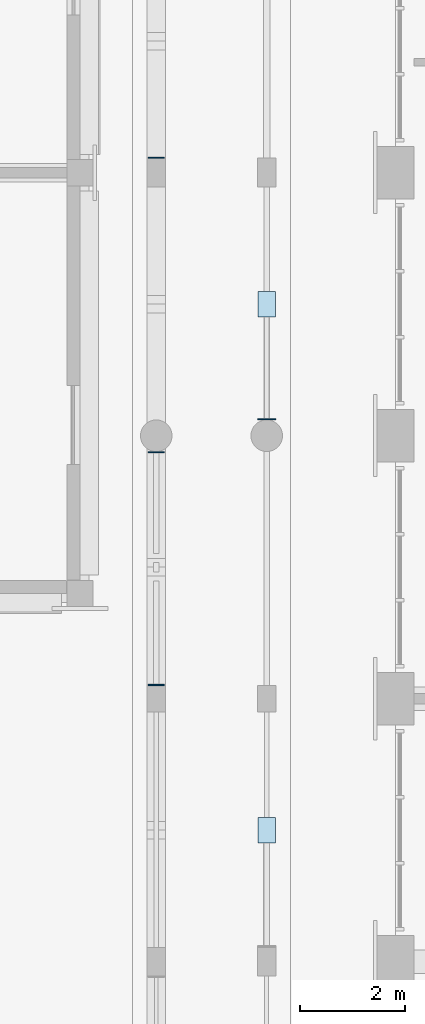
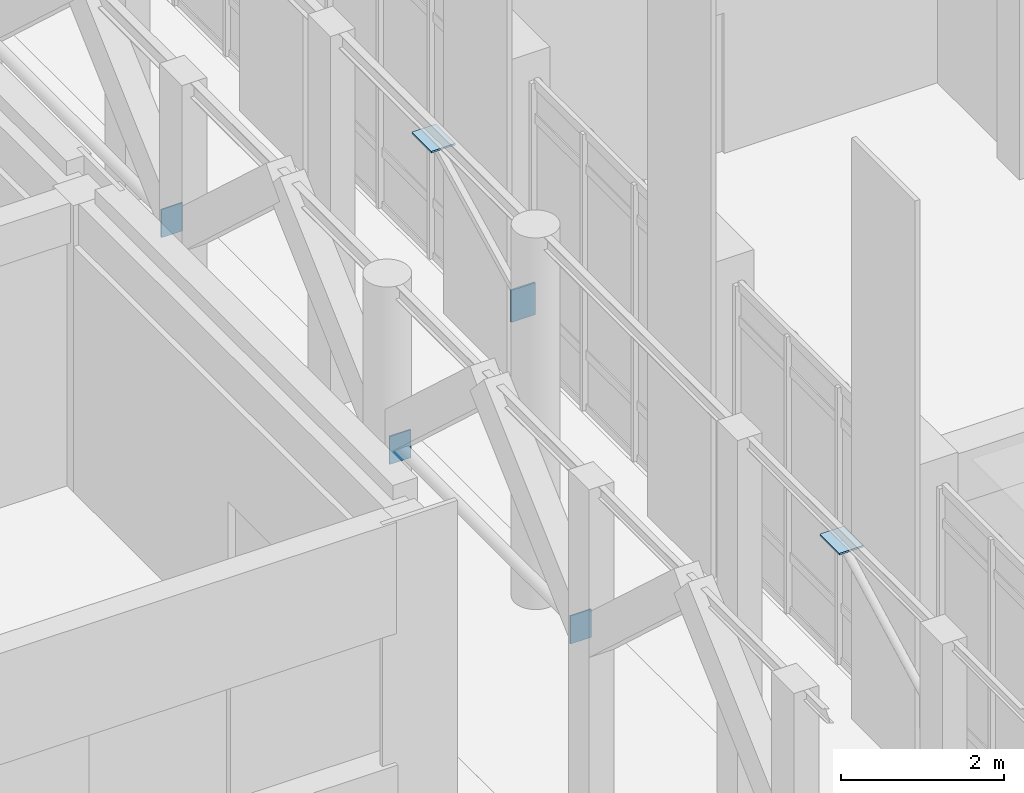
# One storey, part 82 of 135: 6 plates.
"""IFC4 building model written with IfcOpenShell, lengths in metres."""

from ifc_helpers import new_model, si_unit, direction, frame, origin, origin_2d, place, context, subcontext, project, spatial, rectangle, extrude, material, layer, layer_set, type_object, element, save


model = new_model("IFC4")

# Units and contexts
model_context = context("Model", 3, precision=1e-05, world=origin(), true_north=direction((0.0, 1.0)))
body_context = subcontext(model_context, "Body", "Model", "MODEL_VIEW")
ifc_project = project(units=[si_unit("LENGTHUNIT", "METRE"), si_unit("AREAUNIT", "SQUARE_METRE"), si_unit("VOLUMEUNIT", "CUBIC_METRE"), si_unit("PLANEANGLEUNIT", "RADIAN"), si_unit("MASSUNIT", "GRAM", prefix="KILO")], contexts=[model_context])

# Site, building, storey
site_placement = place(None, origin())
site = spatial("IfcSite", under=ifc_project, at=site_placement, CompositionType="ELEMENT")
building_placement = place(site_placement, origin())
building = spatial("IfcBuilding", under=site, at=building_placement, Name="Kiranvali Square Residences", CompositionType="ELEMENT")
storey_placement = place(building_placement, origin())
storey = spatial("IfcBuildingStorey", under=building, at=storey_placement, Name="L00", CompositionType="ELEMENT", Elevation=0.0)

# Plates
ifc_material = material(Name="Structural steel E350", Category="steel")
ifc_layer_1 = layer(ifc_material, 0.02001953125)
ifc_layer_set_1 = layer_set([ifc_layer_1], Name="Structural steel E350")
plate_type_1 = type_object("IfcPlateType", Name="PLT-ENDCAP-20", PredefinedType="SHEET", material=ifc_layer_set_1)
for number, where, z_axis, x_axis, name in (
    (1, (67.449951171875, 54.260986328125, 2.93994140625), (0.0, 0.0, 1.0), (1.0, 0.0, 0.0), "Colonnade tie-rod end plate ARC-GDN-W-3A"),
    (2, (67.449951171875, 58.68896484375, 2.93994140625), (0.0, 0.0, 1.0), (1.0, 0.0, 0.0), "Colonnade tie-rod end plate ARC-GDN-W-3B"),
    (3, (67.449951171875, 64.285888671875, 2.93994140625), (0.0, 0.0, 1.0), (1.0, 0.0, 0.0), "Colonnade tie-rod end plate ARC-GDN-W-5A"),
):
    element("IfcPlate", number, at=place(storey_placement, frame(where, z_axis=z_axis, x_axis=x_axis)), inside=storey, type_object=plate_type_1, Name=name, PredefinedType="SHEET", context=body_context, shape_type="SweptSolid", body=[
        extrude(rectangle(XDim=0.300048828125, YDim=0.02001953125, at=origin_2d()), origin(), (0.0, 0.0, 1.0), 0.419921875),
    ])
ifc_layer_2 = layer(ifc_material, 0.02490234375)
ifc_layer_set_2 = layer_set([ifc_layer_2], Name="Structural steel E350")
plate_type_2 = type_object("IfcPlateType", Name="PLT-GUSSET-25", PredefinedType="USERDEFINED", material=ifc_layer_set_2)
plate_1_placement = place(storey_placement, frame((69.550048828125, 51.5, 5.358642578125), z_axis=(0.0, 0.0, 1.0), x_axis=(1.0, 0.0, 0.0)))
element("IfcPlate", 4, at=plate_1_placement, inside=storey, type_object=plate_type_2, Name="Colonnade knee-brace upper gusset ARC-GDN-W-2B", ObjectType="GUSSET PLATE", PredefinedType="USERDEFINED", context=body_context, shape_type="SweptSolid", body=[
    extrude(rectangle(XDim=0.340087890625, YDim=0.47998046875, at=origin_2d()), origin(), (0.0, 0.0, 1.0), 0.02490234375),
])
plate_2_placement = place(storey_placement, frame((69.550048828125, 59.31396484375, 3.9599609375), z_axis=(0.0, 0.0, 1.0), x_axis=(1.0, 0.0, 0.0)))
element("IfcPlate", 5, at=plate_2_placement, inside=storey, type_object=plate_type_2, Name="Colonnade knee-brace lower gusset ARC-GDN-W-4A", ObjectType="GUSSET PLATE", PredefinedType="USERDEFINED", context=body_context, shape_type="SweptSolid", body=[
    extrude(rectangle(XDim=0.340087890625, YDim=0.02490234375, at=origin_2d()), origin(), (0.0, 0.0, 1.0), 0.47998046875),
])
plate_3_placement = place(storey_placement, frame((69.550048828125, 61.5, 5.30859375), z_axis=(0.0, 0.0, 1.0), x_axis=(1.0, 0.0, 0.0)))
element("IfcPlate", 6, at=plate_3_placement, inside=storey, type_object=plate_type_2, Name="Colonnade knee-brace upper gusset ARC-GDN-W-4B", ObjectType="GUSSET PLATE", PredefinedType="USERDEFINED", context=body_context, shape_type="SweptSolid", body=[
    extrude(rectangle(XDim=0.340087890625, YDim=0.47998046875, at=origin_2d()), origin(), (0.0, 0.0, 1.0), 0.02490234375),
])

save(model, "model.ifc")
